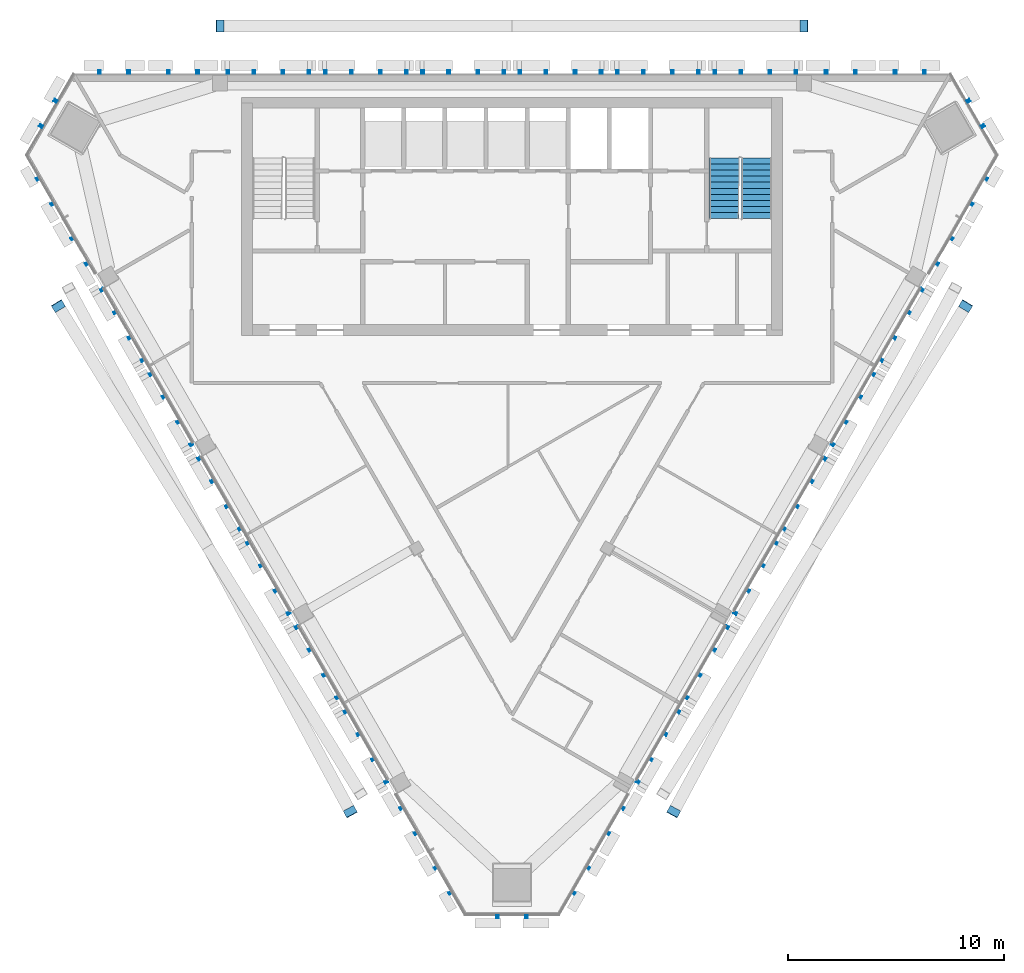
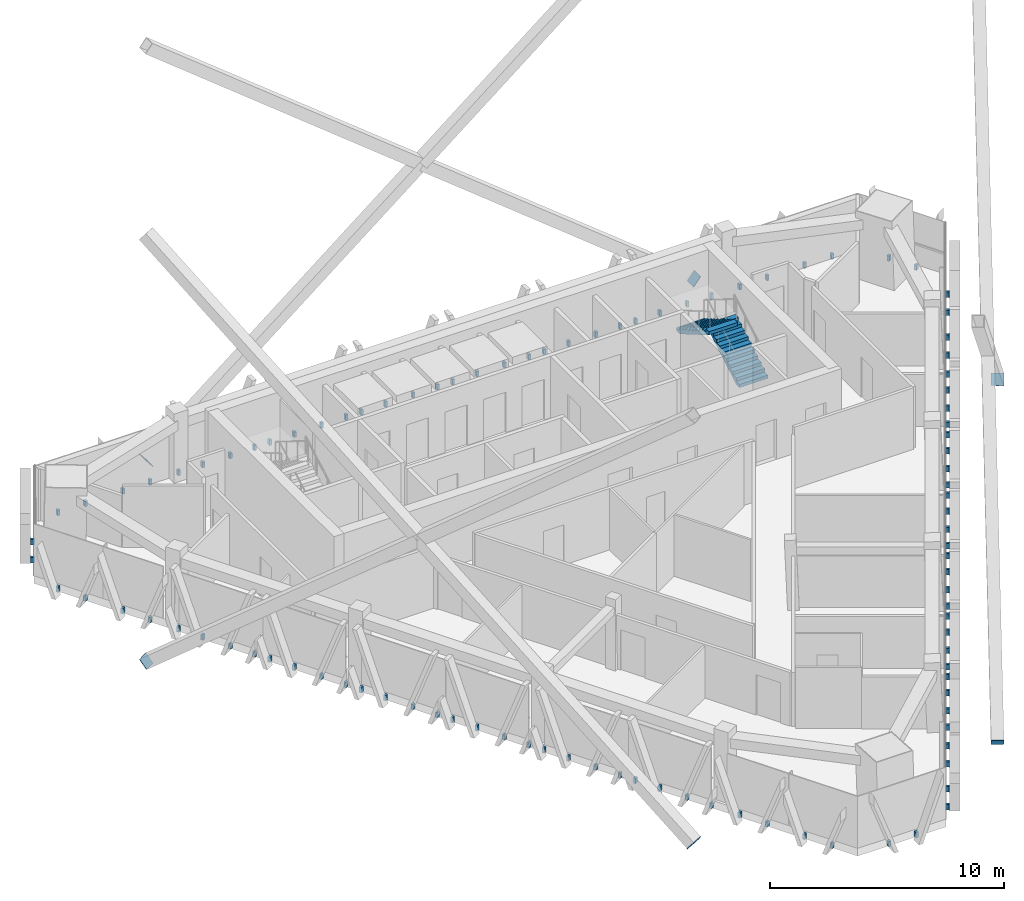
# One storey, part 10 of 12: 12 discrete accessories, 2 stair flights, 1 element without a shape of its own.
"""IFC4 building model written with IfcOpenShell, lengths in metres."""

from ifc_helpers import new_model, si_unit, direction, frame, origin, origin_2d, place, context, subcontext, project, spatial, polyline, rectangle, outline, extrude, source, transform, mapped, material, material_profile, profile_set, type_object, element, aggregate, save


model = new_model("IFC4")

# Units and contexts
model_context = context("Model", 3, precision=1e-05, world=origin(), true_north=direction((0.0, 1.0)))
body_context = subcontext(model_context, "Body", "Model", "MODEL_VIEW")
ifc_project = project(units=[si_unit("LENGTHUNIT", "METRE"), si_unit("AREAUNIT", "SQUARE_METRE"), si_unit("VOLUMEUNIT", "CUBIC_METRE"), si_unit("PLANEANGLEUNIT", "RADIAN"), si_unit("MASSUNIT", "GRAM", prefix="KILO")], contexts=[model_context])

# Site, building, storey
site_placement = place(None, origin())
site = spatial("IfcSite", under=ifc_project, at=site_placement, CompositionType="ELEMENT")
building_placement = place(site_placement, origin())
building = spatial("IfcBuilding", under=site, at=building_placement, Name="Altiplano Prism Tower", CompositionType="ELEMENT")
storey_placement = place(building_placement, frame((0.0, 0.0, 291.39990234375)))
storey = spatial("IfcBuildingStorey", under=building, at=storey_placement, Name="L75", CompositionType="ELEMENT", Elevation=291.39990234375)

# Stair, stair flights
ifc_material_1 = material(Name="Concrete C40/50", Category="concrete")
stair_type = type_object("IfcStairType", Name="Exit stair 1400", PredefinedType="HALF_TURN_STAIR", material=ifc_material_1)
stair_placement = place(storey_placement, origin())
stair = element("IfcStair", 1, at=stair_placement, inside=storey, type_object=stair_type, Name="L75 Exit Stair 2", PredefinedType="HALF_TURN_STAIR")
stair_flight_type = type_object("IfcStairFlightType", Name="Stair flight concrete 150", PredefinedType="STRAIGHT", material=ifc_material_1)
stair_flight_1_placement = place(storey_placement, frame((96.300048828125, 98.300048828125, 0.0), z_axis=(0.0, 0.0, 1.0), x_axis=(0.0, 1.0, 0.0)))
stair_flight_1 = element("IfcStairFlight", 2, at=stair_flight_1_placement, type_object=stair_flight_type, Name="ST2 flight 1", NumberOfRisers=11, NumberOfTreads=10, PredefinedType="STRAIGHT", RiserHeight=0.163636364, TreadLength=0.28, context=body_context, shape_type="SweptSolid", body=[
    extrude(outline(polyline([(0.0, 0.0), (0.0, 0.16357421875), (0.280029296875, 0.16357421875), (0.280029296875, 0.327392578125), (0.56005859375, 0.327392578125), (0.56005859375, 0.490966796875), (0.840087890625, 0.490966796875), (0.840087890625, 0.654541015625), (1.1201171875, 0.654541015625), (1.1201171875, 0.818115234375), (1.39990234375, 0.818115234375), (1.39990234375, 0.98193359375), (1.679931640625, 0.98193359375), (1.679931640625, 1.1455078125), (1.9599609375, 1.1455078125), (1.9599609375, 1.30908203125), (2.239990234375, 1.30908203125), (2.239990234375, 1.47265625), (2.52001953125, 1.47265625), (2.52001953125, 1.636474609375), (2.800048828125, 1.636474609375), (2.800048828125, 1.800048828125), (2.800048828125, 1.462646484375), (0.297119140625, 0.0), (0.0, 0.0)])), frame((0.0, 0.699951171875, 0.0), z_axis=(0.0, -1.0, 0.0), x_axis=(1.0, 0.0, 0.0)), (0.0, 0.0, 1.0), 1.39990234375),
])
stair_flight_2_placement = place(storey_placement, frame((94.800048828125, 101.10009765625, 1.800048828125), z_axis=(0.0, 0.0, 1.0), x_axis=(0.0, -1.0, 0.0)))
stair_flight_2 = element("IfcStairFlight", 3, at=stair_flight_2_placement, type_object=stair_flight_type, Name="ST2 flight 2", NumberOfRisers=11, NumberOfTreads=10, PredefinedType="STRAIGHT", RiserHeight=0.163636364, TreadLength=0.28, context=body_context, shape_type="SweptSolid", body=[
    extrude(outline(polyline([(0.0, 0.0), (0.0, 0.16357421875), (0.280029296875, 0.16357421875), (0.280029296875, 0.327392578125), (0.56005859375, 0.327392578125), (0.56005859375, 0.490966796875), (0.840087890625, 0.490966796875), (0.840087890625, 0.654541015625), (1.1201171875, 0.654541015625), (1.1201171875, 0.818115234375), (1.39990234375, 0.818115234375), (1.39990234375, 0.98193359375), (1.679931640625, 0.98193359375), (1.679931640625, 1.1455078125), (1.9599609375, 1.1455078125), (1.9599609375, 1.30908203125), (2.239990234375, 1.30908203125), (2.239990234375, 1.47265625), (2.52001953125, 1.47265625), (2.52001953125, 1.636474609375), (2.800048828125, 1.636474609375), (2.800048828125, 1.800048828125), (2.800048828125, 1.462646484375), (0.297119140625, 0.0), (0.0, 0.0)])), frame((0.0, 0.699951171875, 0.0), z_axis=(0.0, -1.0, 0.0), x_axis=(1.0, 0.0, 0.0)), (0.0, 0.0, 1.0), 1.39990234375),
])
aggregate(stair, [stair_flight_1, stair_flight_2])

# Discrete accessories
ifc_material_2 = material(Name="Steel S355", Category="steel")
ifc_material_profile = material_profile(ifc_material_2, rectangle(XDim=0.550048828125, YDim=0.550048828125, at=origin_2d()), Name="Brace end plate 550x550x30")
ifc_profile_set = profile_set([ifc_material_profile], Name="Steel S355")
discrete_accessory_type_1 = type_object("IfcDiscreteAccessoryType", Name="Brace end plate 550x550x30", PredefinedType="ANCHORPLATE", material=ifc_profile_set)
for number, where, z_axis, x_axis, name in (
    (4, (98.5, 107.199951171875, -0.75), (-0.780075421094, 0.0, 0.625685494002), (0.0, -1.0, 0.0), "Brace end plate Mega brace 8.0.1 end 1"),
    (5, (71.5, 107.199951171875, -0.75), (0.780075421094, 0.0, 0.625685494002), (0.0, 1.0, 0.0), "Brace end plate Mega brace 8.0.3 end 1"),
    (6, (64.032958984375, 94.266845703125, -0.75), (0.40628928182, -0.658188636548, 0.633811279639), (0.850936110144, 0.525269203793, 0.0), "Brace end plate Mega brace 8.1.1 end 1"),
    (7, (77.532958984375, 70.884033203125, -0.75), (-0.374132146089, 0.691331139513, 0.6181313718), (-0.879472450409, -0.475949796692, 0.0), "Brace end plate Mega brace 8.1.3 end 1"),
    (8, (92.467041015625, 70.884033203125, -0.75), (0.374132146089, 0.691331139513, 0.6181313718), (-0.879472450409, 0.475949796692, 0.0), "Brace end plate Mega brace 8.2.1 end 1"),
    (9, (105.967041015625, 94.266845703125, -0.75), (-0.40628928182, -0.658188636548, 0.633811279639), (0.850936110144, -0.525269203793, 0.0), "Brace end plate Mega brace 8.2.3 end 1"),
):
    element("IfcDiscreteAccessory", number, at=place(storey_placement, frame(where, z_axis=z_axis, x_axis=x_axis)), inside=storey, type_object=discrete_accessory_type_1, Name=name, PredefinedType="ANCHORPLATE", context=body_context, shape_type="SweptSolid", body=[
        extrude(rectangle(XDim=0.550048828125, YDim=0.550048828125, at=origin_2d()), origin(), (0.0, 0.0, 1.0), 0.030029296875),
    ])
ifc_material_3 = material(Name="Stainless steel", Category="steel")
discrete_accessory_type_2 = type_object("IfcDiscreteAccessoryType", Name="Stone fin fixing prongs", PredefinedType="USERDEFINED", material=ifc_material_3)
shared_shape_1 = source(origin(), body_context, "Body", "SweptSolid", [
    extrude(outline(polyline([(-0.73291015625, 0.06005859375), (-0.61279296875, 0.06005859375), (-0.61279296875, 0.340087890625), (-0.73291015625, 0.340087890625), (-0.73291015625, 0.06005859375)])), frame((0.0, 0.0, 0.0), z_axis=(0.0, -1.0, 0.0), x_axis=(1.0, 0.0, 0.0)), (0.0, 0.0, 1.0), 0.14990234375),
    extrude(outline(polyline([(0.61279296875, 0.06005859375), (0.73291015625, 0.06005859375), (0.73291015625, 0.340087890625), (0.61279296875, 0.340087890625), (0.61279296875, 0.06005859375)])), frame((0.0, 0.0, 0.0), z_axis=(0.0, -1.0, 0.0), x_axis=(1.0, 0.0, 0.0)), (0.0, 0.0, 1.0), 0.14990234375),
])
shared_shape_2 = source(origin(), body_context, "Body", "SweptSolid", [
    extrude(outline(polyline([(-0.73291015625, 0.06005859375), (-0.61279296875, 0.06005859375), (-0.61279296875, 0.340087890625), (-0.73291015625, 0.340087890625), (-0.73291015625, 0.06005859375)])), frame((0.0, 0.0, 0.0), z_axis=(0.0, -1.0, 0.0), x_axis=(1.0, 0.0, 0.0)), (0.0, 0.0, 1.0), 0.14990234375),
    extrude(outline(polyline([(0.61279296875, 0.06005859375), (0.73291015625, 0.06005859375), (0.73291015625, 0.340087890625), (0.61279296875, 0.340087890625), (0.61279296875, 0.06005859375)])), frame((0.0, 0.0, 0.0), z_axis=(0.0, -1.0, 0.0), x_axis=(1.0, 0.0, 0.0)), (0.0, 0.0, 1.0), 0.14990234375),
])
shared_shape_3 = source(origin(), body_context, "Body", "SweptSolid", [
    extrude(outline(polyline([(-1.932861328125, 0.06005859375), (-1.812744140625, 0.06005859375), (-1.812744140625, 0.340087890625), (-1.932861328125, 0.340087890625), (-1.932861328125, 0.06005859375)])), frame((0.0, 0.0, 0.0), z_axis=(0.0, -1.0, 0.0), x_axis=(1.0, 0.0, 0.0)), (0.0, 0.0, 1.0), 0.14990234375),
    extrude(outline(polyline([(-0.73291015625, 0.06005859375), (-0.61279296875, 0.06005859375), (-0.61279296875, 0.340087890625), (-0.73291015625, 0.340087890625), (-0.73291015625, 0.06005859375)])), frame((0.0, 0.0, 0.0), z_axis=(0.0, -1.0, 0.0), x_axis=(1.0, 0.0, 0.0)), (0.0, 0.0, 1.0), 0.14990234375),
    extrude(outline(polyline([(0.61279296875, 0.06005859375), (0.73291015625, 0.06005859375), (0.73291015625, 0.340087890625), (0.61279296875, 0.340087890625), (0.61279296875, 0.06005859375)])), frame((0.0, 0.0, 0.0), z_axis=(0.0, -1.0, 0.0), x_axis=(1.0, 0.0, 0.0)), (0.0, 0.0, 1.0), 0.14990234375),
    extrude(outline(polyline([(1.812744140625, 0.06005859375), (1.932861328125, 0.06005859375), (1.932861328125, 0.340087890625), (1.812744140625, 0.340087890625), (1.812744140625, 0.06005859375)])), frame((0.0, 0.0, 0.0), z_axis=(0.0, -1.0, 0.0), x_axis=(1.0, 0.0, 0.0)), (0.0, 0.0, 1.0), 0.14990234375),
])
discrete_accessory_1_placement = place(storey_placement, origin())
element("IfcDiscreteAccessory", 10, at=discrete_accessory_1_placement, inside=storey, type_object=discrete_accessory_type_2, Name="Fin fixings L75 north face", ObjectType="BRACKET", PredefinedType="USERDEFINED", context=body_context, shape_type="MappedRepresentation", body=[
    mapped(shared_shape_1, transform((103.38232421875, 105.0, -0.39990234375), x_axis=(-1.0, 0.0, 0.0), y_axis=(0.0, -1.0, 0.0), z_axis=(0.0, 0.0, 1.0))),
    mapped(shared_shape_2, transform((100.194091796875, 105.0, -0.39990234375), x_axis=(-1.0, 0.0, 0.0), y_axis=(0.0, -1.0, 0.0), z_axis=(0.0, 0.0, 1.0))),
    mapped(shared_shape_3, transform((96.25, 105.0, -0.39990234375), x_axis=(-1.0, 0.0, 0.0), y_axis=(0.0, -1.0, 0.0), z_axis=(0.0, 0.0, 1.0))),
    mapped(shared_shape_3, transform((91.75, 105.0, -0.39990234375), x_axis=(-1.0, 0.0, 0.0), y_axis=(0.0, -1.0, 0.0), z_axis=(0.0, 0.0, 1.0))),
    mapped(shared_shape_3, transform((87.25, 105.0, -0.39990234375), x_axis=(-1.0, 0.0, 0.0), y_axis=(0.0, -1.0, 0.0), z_axis=(0.0, 0.0, 1.0))),
    mapped(shared_shape_3, transform((82.75, 105.0, -0.39990234375), x_axis=(-1.0, 0.0, 0.0), y_axis=(0.0, -1.0, 0.0), z_axis=(0.0, 0.0, 1.0))),
    mapped(shared_shape_3, transform((78.25, 105.0, -0.39990234375), x_axis=(-1.0, 0.0, 0.0), y_axis=(0.0, -1.0, 0.0), z_axis=(0.0, 0.0, 1.0))),
    mapped(shared_shape_3, transform((73.75, 105.0, -0.39990234375), x_axis=(-1.0, 0.0, 0.0), y_axis=(0.0, -1.0, 0.0), z_axis=(0.0, 0.0, 1.0))),
    mapped(shared_shape_2, transform((69.805908203125, 105.0, -0.39990234375), x_axis=(-1.0, 0.0, 0.0), y_axis=(0.0, -1.0, 0.0), z_axis=(0.0, 0.0, 1.0))),
    mapped(shared_shape_1, transform((66.61767578125, 105.0, -0.39990234375), x_axis=(-1.0, 0.0, 0.0), y_axis=(0.0, -1.0, 0.0), z_axis=(0.0, 0.0, 1.0))),
])
discrete_accessory_2_placement = place(storey_placement, origin())
element("IfcDiscreteAccessory", 11, at=discrete_accessory_2_placement, inside=storey, type_object=discrete_accessory_type_2, Name="Fin fixings L75 south-west face", ObjectType="BRACKET", PredefinedType="USERDEFINED", context=body_context, shape_type="MappedRepresentation", body=[
    mapped(shared_shape_1, transform((63.4970703125, 99.594970703125, -0.39990234375), x_axis=(0.499999989059, -0.866025410101, 0.0), y_axis=(0.866025410101, 0.499999989059, 0.0), z_axis=(0.0, 0.0, 1.0))),
    mapped(shared_shape_2, transform((65.09130859375, 96.833984375, -0.39990234375), x_axis=(0.499999989059, -0.866025410101, 0.0), y_axis=(0.866025410101, 0.499999989059, 0.0), z_axis=(0.0, 0.0, 1.0))),
    mapped(shared_shape_3, transform((67.063232421875, 93.418212890625, -0.39990234375), x_axis=(0.499999989059, -0.866025410101, 0.0), y_axis=(0.866025410101, 0.499999989059, 0.0), z_axis=(0.0, 0.0, 1.0))),
    mapped(shared_shape_3, transform((69.313232421875, 89.52099609375, -0.39990234375), x_axis=(0.499999989059, -0.866025410101, 0.0), y_axis=(0.866025410101, 0.499999989059, 0.0), z_axis=(0.0, 0.0, 1.0))),
    mapped(shared_shape_3, transform((71.563232421875, 85.6240234375, -0.39990234375), x_axis=(0.499999989059, -0.866025410101, 0.0), y_axis=(0.866025410101, 0.499999989059, 0.0), z_axis=(0.0, 0.0, 1.0))),
    mapped(shared_shape_3, transform((73.813232421875, 81.726806640625, -0.39990234375), x_axis=(0.499999989059, -0.866025410101, 0.0), y_axis=(0.866025410101, 0.499999989059, 0.0), z_axis=(0.0, 0.0, 1.0))),
    mapped(shared_shape_3, transform((76.063232421875, 77.829833984375, -0.39990234375), x_axis=(0.499999989059, -0.866025410101, 0.0), y_axis=(0.866025410101, 0.499999989059, 0.0), z_axis=(0.0, 0.0, 1.0))),
    mapped(shared_shape_3, transform((78.313232421875, 73.9326171875, -0.39990234375), x_axis=(0.499999989059, -0.866025410101, 0.0), y_axis=(0.866025410101, 0.499999989059, 0.0), z_axis=(0.0, 0.0, 1.0))),
    mapped(shared_shape_2, transform((80.285400390625, 70.516845703125, -0.39990234375), x_axis=(0.499999989059, -0.866025410101, 0.0), y_axis=(0.866025410101, 0.499999989059, 0.0), z_axis=(0.0, 0.0, 1.0))),
    mapped(shared_shape_1, transform((81.87939453125, 67.755859375, -0.39990234375), x_axis=(0.499999989059, -0.866025410101, 0.0), y_axis=(0.866025410101, 0.499999989059, 0.0), z_axis=(0.0, 0.0, 1.0))),
])
discrete_accessory_3_placement = place(storey_placement, origin())
element("IfcDiscreteAccessory", 12, at=discrete_accessory_3_placement, inside=storey, type_object=discrete_accessory_type_2, Name="Fin fixings L75 south-east face", ObjectType="BRACKET", PredefinedType="USERDEFINED", context=body_context, shape_type="MappedRepresentation", body=[
    mapped(shared_shape_1, transform((88.12060546875, 67.755859375, -0.39990234375), x_axis=(0.499999989059, 0.866025410101, 0.0), y_axis=(-0.866025410101, 0.499999989059, 0.0), z_axis=(0.0, 0.0, 1.0))),
    mapped(shared_shape_2, transform((89.714599609375, 70.516845703125, -0.39990234375), x_axis=(0.499999989059, 0.866025410101, 0.0), y_axis=(-0.866025410101, 0.499999989059, 0.0), z_axis=(0.0, 0.0, 1.0))),
    mapped(shared_shape_3, transform((91.686767578125, 73.9326171875, -0.39990234375), x_axis=(0.499999989059, 0.866025410101, 0.0), y_axis=(-0.866025410101, 0.499999989059, 0.0), z_axis=(0.0, 0.0, 1.0))),
    mapped(shared_shape_3, transform((93.936767578125, 77.829833984375, -0.39990234375), x_axis=(0.499999989059, 0.866025410101, 0.0), y_axis=(-0.866025410101, 0.499999989059, 0.0), z_axis=(0.0, 0.0, 1.0))),
    mapped(shared_shape_3, transform((96.186767578125, 81.726806640625, -0.39990234375), x_axis=(0.499999989059, 0.866025410101, 0.0), y_axis=(-0.866025410101, 0.499999989059, 0.0), z_axis=(0.0, 0.0, 1.0))),
    mapped(shared_shape_3, transform((98.436767578125, 85.6240234375, -0.39990234375), x_axis=(0.499999989059, 0.866025410101, 0.0), y_axis=(-0.866025410101, 0.499999989059, 0.0), z_axis=(0.0, 0.0, 1.0))),
    mapped(shared_shape_3, transform((100.686767578125, 89.52099609375, -0.39990234375), x_axis=(0.499999989059, 0.866025410101, 0.0), y_axis=(-0.866025410101, 0.499999989059, 0.0), z_axis=(0.0, 0.0, 1.0))),
    mapped(shared_shape_3, transform((102.936767578125, 93.418212890625, -0.39990234375), x_axis=(0.499999989059, 0.866025410101, 0.0), y_axis=(-0.866025410101, 0.499999989059, 0.0), z_axis=(0.0, 0.0, 1.0))),
    mapped(shared_shape_2, transform((104.90869140625, 96.833984375, -0.39990234375), x_axis=(0.499999989059, 0.866025410101, 0.0), y_axis=(-0.866025410101, 0.499999989059, 0.0), z_axis=(0.0, 0.0, 1.0))),
    mapped(shared_shape_1, transform((106.5029296875, 99.594970703125, -0.39990234375), x_axis=(0.499999989059, 0.866025410101, 0.0), y_axis=(-0.866025410101, 0.499999989059, 0.0), z_axis=(0.0, 0.0, 1.0))),
])
shared_shape_4 = source(origin(), body_context, "Body", "SweptSolid", [
    extrude(outline(polyline([(-0.73291015625, 0.06005859375), (-0.61279296875, 0.06005859375), (-0.61279296875, 0.340087890625), (-0.73291015625, 0.340087890625), (-0.73291015625, 0.06005859375)])), frame((0.0, 0.0, 0.0), z_axis=(0.0, -1.0, 0.0), x_axis=(1.0, 0.0, 0.0)), (0.0, 0.0, 1.0), 0.14990234375),
    extrude(outline(polyline([(0.61279296875, 0.06005859375), (0.73291015625, 0.06005859375), (0.73291015625, 0.340087890625), (0.61279296875, 0.340087890625), (0.61279296875, 0.06005859375)])), frame((0.0, 0.0, 0.0), z_axis=(0.0, -1.0, 0.0), x_axis=(1.0, 0.0, 0.0)), (0.0, 0.0, 1.0), 0.14990234375),
])
discrete_accessory_4_placement = place(storey_placement, origin())
element("IfcDiscreteAccessory", 13, at=discrete_accessory_4_placement, inside=storey, type_object=discrete_accessory_type_2, Name="Fin fixings L75 north-west chamfer", ObjectType="BRACKET", PredefinedType="USERDEFINED", context=body_context, shape_type="MappedRepresentation", body=[
    mapped(shared_shape_4, transform((63.63671875, 103.11767578125, -0.39990234375), x_axis=(-0.500000063928, -0.866025366876, 0.0), y_axis=(0.866025366876, -0.500000063928, 0.0), z_axis=(0.0, 0.0, 1.0))),
])
discrete_accessory_5_placement = place(storey_placement, origin())
element("IfcDiscreteAccessory", 14, at=discrete_accessory_5_placement, inside=storey, type_object=discrete_accessory_type_2, Name="Fin fixings L75 south chamfer", ObjectType="BRACKET", PredefinedType="USERDEFINED", context=body_context, shape_type="MappedRepresentation", body=[
    mapped(shared_shape_4, transform((85.0, 66.115478515625, -0.39990234375), x_axis=(1.0, 0.0, 0.0), y_axis=(0.0, 1.0, 0.0), z_axis=(0.0, 0.0, 1.0))),
])
discrete_accessory_6_placement = place(storey_placement, origin())
element("IfcDiscreteAccessory", 15, at=discrete_accessory_6_placement, inside=storey, type_object=discrete_accessory_type_2, Name="Fin fixings L75 north-east chamfer", ObjectType="BRACKET", PredefinedType="USERDEFINED", context=body_context, shape_type="MappedRepresentation", body=[
    mapped(shared_shape_4, transform((106.36328125, 103.11767578125, -0.39990234375), x_axis=(-0.500000063928, 0.866025366876, 0.0), y_axis=(-0.866025366876, -0.500000063928, 0.0), z_axis=(0.0, 0.0, 1.0))),
])

save(model, "model.ifc")
